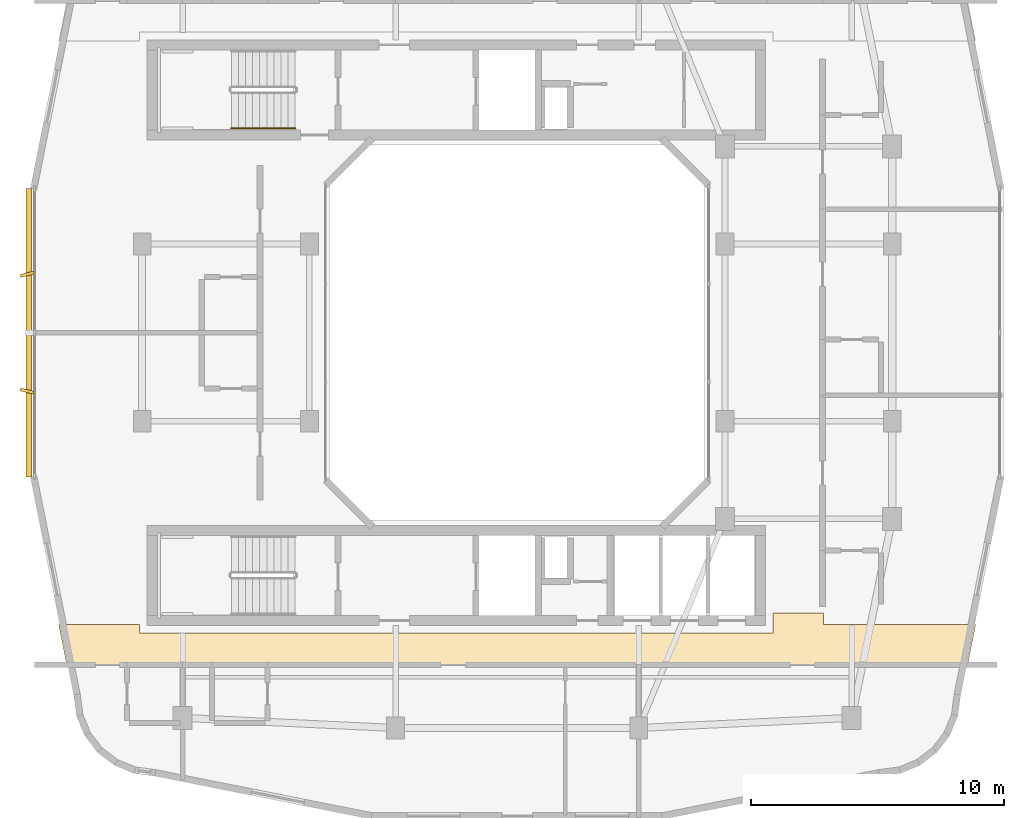
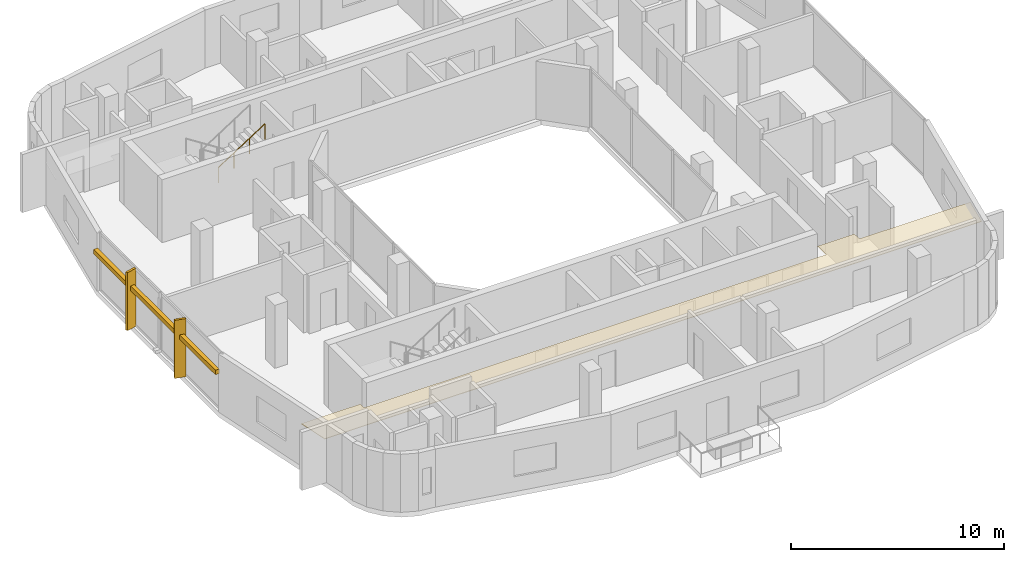
# One storey, part 11 of 13: 3 shading devices, 1 covering, 1 railing.
"""IFC4 building model written with IfcOpenShell, lengths in metres."""

from ifc_helpers import new_model, si_unit, derived_unit, direction, frame, origin, origin_2d, place, context, subcontext, project, spatial, polyline, rectangle, circle, outline, extrude, material, layer, layer_set, type_object, element, save


model = new_model("IFC4")

# Units and contexts
model_context = context("Model", 3, precision=1e-05, world=origin(), true_north=direction((0.0, 1.0)))
body_context = subcontext(model_context, "Body", "Model", "MODEL_VIEW")
ifc_project = project(units=[si_unit("LENGTHUNIT", "METRE"), si_unit("AREAUNIT", "SQUARE_METRE"), si_unit("VOLUMEUNIT", "CUBIC_METRE"), si_unit("PLANEANGLEUNIT", "RADIAN"), si_unit("MASSUNIT", "GRAM", prefix="KILO"), derived_unit("THERMALTRANSMITTANCEUNIT", [(si_unit("POWERUNIT", "WATT"), 1), (si_unit("LENGTHUNIT", "METRE"), -2), (si_unit("THERMODYNAMICTEMPERATUREUNIT", "KELVIN"), -1)])], contexts=[model_context])

# Site, building, storey
site_placement = place(None, origin())
site = spatial("IfcSite", under=ifc_project, at=site_placement, CompositionType="ELEMENT")
building_placement = place(site_placement, origin())
building = spatial("IfcBuilding", under=site, at=building_placement, Name="Kivonza Crest Hotel", CompositionType="ELEMENT")
storey_placement = place(building_placement, frame((0.0, 0.0, 220.699951171875)))
storey = spatial("IfcBuildingStorey", under=building, at=storey_placement, Name="L60", CompositionType="ELEMENT", Elevation=220.699951171875)

# Covering
ifc_material_1 = material(Name="Moisture-resistant gypsum plasterboard ceiling", Category="gypsum")
ifc_layer = layer(ifc_material_1, 0.030029296875)
ifc_layer_set = layer_set([ifc_layer], Name="Moisture-resistant gypsum plasterboard ceiling")
covering_type = type_object("IfcCoveringType", Name="CV-CEIL-GYP", PredefinedType="CEILING", material=ifc_layer_set)
covering_placement = place(storey_placement, frame((0.0, 0.0, 2.449951171875)))
element("IfcCovering", 1, at=covering_placement, inside=storey, type_object=covering_type, Name="L60 Hotel South Guest Corridor suspended ceiling", PredefinedType="CEILING", context=body_context, shape_type="SweptSolid", body=[
    extrude(outline(polyline([(33.090087890625, 13.47998046875), (33.090087890625, 13.93994140625), (31.10009765625, 13.93994140625), (31.10009765625, 13.139892578125), (6.10009765625, 13.139892578125), (6.10009765625, 13.47998046875), (2.906005859375, 13.47998046875), (3.22802734375, 11.860107421875), (38.77197265625, 11.860107421875), (39.093994140625, 13.47998046875), (33.090087890625, 13.47998046875)])), origin(), (0.0, 0.0, 1.0), 0.030029296875),
])

# Railing
ifc_material_2 = material(Name="Brushed stainless steel handrail", Category="steel")
railing_type = type_object("IfcRailingType", Name="RL-HAND-900", PredefinedType="HANDRAIL", material=ifc_material_2)
railing_placement = place(storey_placement, frame((9.719970703125, 33.070068359375, 1.97998046875)))
element("IfcRailing", 2, at=railing_placement, inside=storey, type_object=railing_type, Name="L60 ST-T1-N stair handrail 2", PredefinedType="HANDRAIL", context=body_context, shape_type="SweptSolid", body=[
    extrude(circle(Radius=0.02392578125, at=origin_2d()), frame((0.0, 0.0, 0.8759765625), z_axis=(0.841162588446, 0.0, 0.540782303519), x_axis=(0.0, 1.0, 0.0)), (0.0, 0.0, 1.0), 2.995849609375),
    extrude(circle(Radius=0.02099609375, at=origin_2d()), origin(), (0.0, 0.0, 1.0), 0.851806640625),
    extrude(circle(Radius=0.02099609375, at=origin_2d()), frame((0.840087890625, 0.0, 0.5400390625)), (0.0, 0.0, 1.0), 0.851806640625),
    extrude(circle(Radius=0.02099609375, at=origin_2d()), frame((1.679931640625, 0.0, 1.080078125)), (0.0, 0.0, 1.0), 0.851806640625),
    extrude(circle(Radius=0.02099609375, at=origin_2d()), frame((2.52001953125, 0.0, 1.6201171875)), (0.0, 0.0, 1.0), 0.851806640625),
])

# Shading devices
ifc_material_3 = material(Name="Kiln-fired Nairobi red-ochre terracotta", Category="masonry")
shading_device_type_1 = type_object("IfcShadingDeviceType", Name="SH-BAGUETTE-300", PredefinedType="USERDEFINED", material=ifc_material_3)
shading_device_placement = place(storey_placement, frame((1.719970703125, 25.0, 2.19384765625), z_axis=(0.0, 0.0, 1.0), x_axis=(0.0, -1.0, 0.0)))
element("IfcShadingDevice", 3, at=shading_device_placement, inside=storey, type_object=shading_device_type_1, Name="L60 terracotta baguette screen CW-T1-L60-35", ObjectType="BAGUETTE", PredefinedType="USERDEFINED", context=body_context, shape_type="SweptSolid", body=[
    extrude(rectangle(XDim=11.39990234375, YDim=0.219970703125, at=origin_2d()), origin(), (0.0, 0.0, 1.0), 0.260009765625),
])
ifc_material_4 = material(Name="Kiln-fired terracotta over extruded aluminium spine", Category="masonry")
shading_device_type_2 = type_object("IfcShadingDeviceType", Name="SH-FIN-550", PredefinedType="USERDEFINED", material=ifc_material_4)
for number, where, z_axis, x_axis, name in (
    (4, (1.659912109375, 27.303955078125, 0.0), (0.0, 0.0, 1.0), (0.2419218956, -0.970295726276, 0.0), "L60 vertical solar shading fin CW-T1-L60-35-1"),
    (5, (1.659912109375, 22.696044921875, 0.0), (0.0, 0.0, 1.0), (-0.2419218956, -0.970295726276, 0.0), "L60 vertical solar shading fin CW-T1-L60-35-2"),
):
    element("IfcShadingDevice", number, at=place(storey_placement, frame(where, z_axis=z_axis, x_axis=x_axis)), inside=storey, type_object=shading_device_type_2, Name=name, ObjectType="FIN", PredefinedType="USERDEFINED", context=body_context, shape_type="SweptSolid", body=[
        extrude(rectangle(XDim=0.1201171875, YDim=0.550048828125, at=origin_2d()), origin(), (0.0, 0.0, 1.0), 3.320068359375),
    ])

save(model, "model.ifc")
